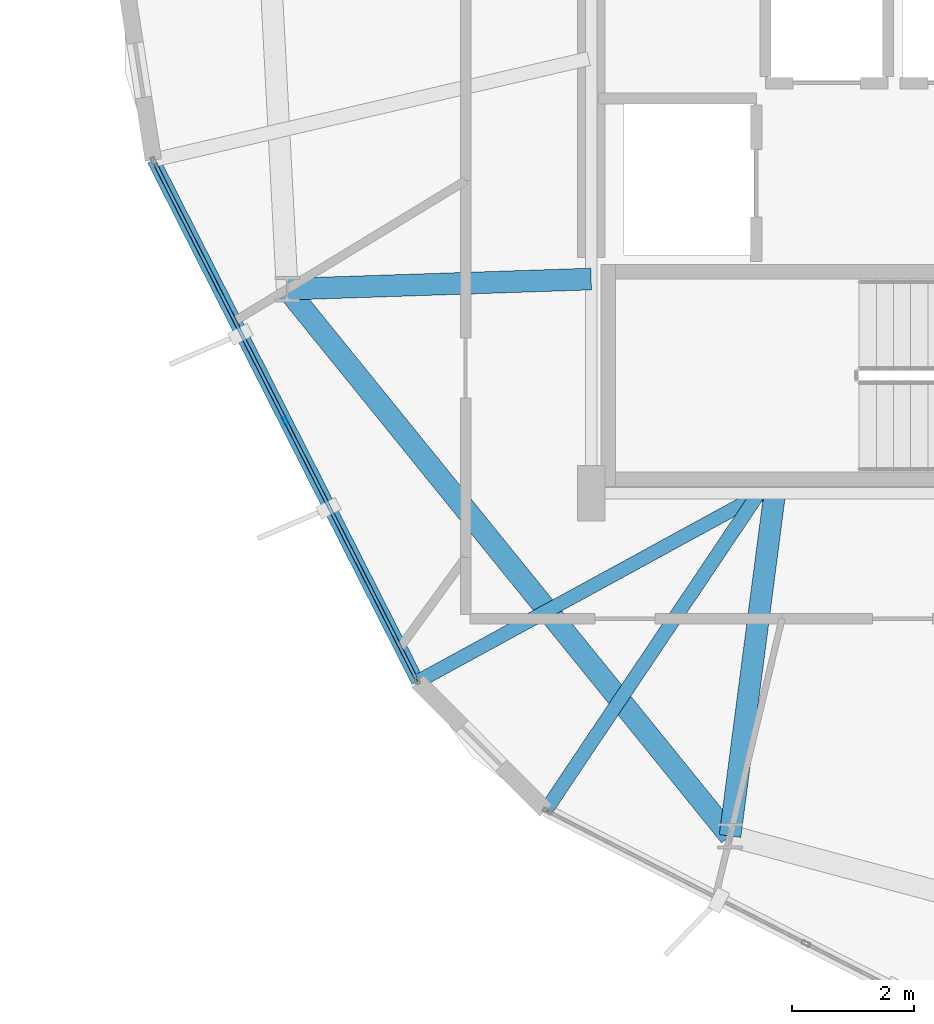
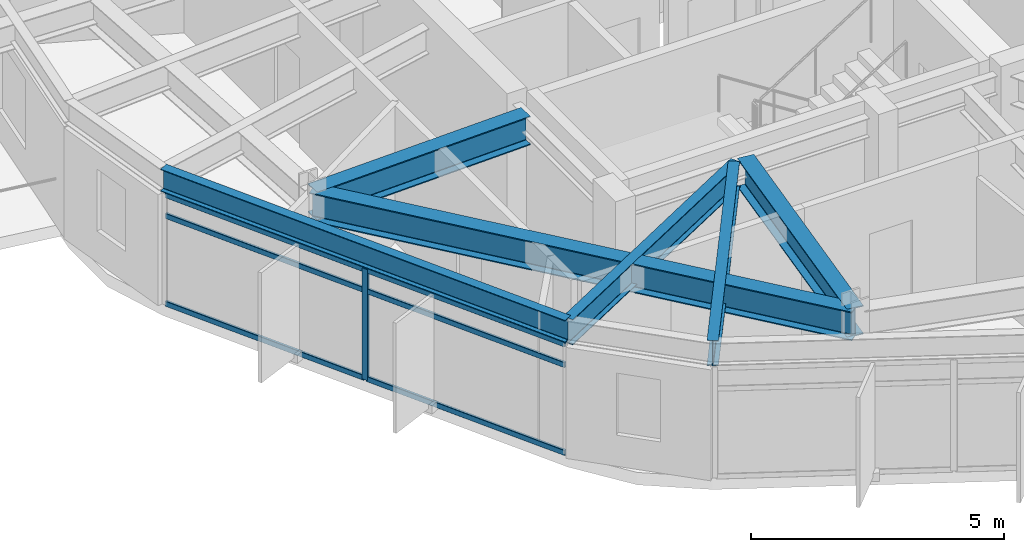
# One storey, part 3 of 27: 7 members, 6 beams, 1 element without a shape of its own.
"""IFC4 building model written with IfcOpenShell, lengths in metres."""

import ifcopenshell
import ifcopenshell.guid

model = None  # the IFC model being written
_history = None  # IfcOwnerHistory: only IFC2X3 demands one
_inside = {}  # id of a spatial element -> (the spatial element, [elements in it])
_under = {}  # id of a project, library or spatial element -> (it, [spatial elements below it])
_declared = {}  # id of a project -> (the project, [libraries it declares])
_typed = {}  # id of a type object -> (the type object, [elements of that type])
_made_of = {}  # id of a material, layer set ... -> (it, [elements and type objects made of it])


def new_model(schema):
    """Start an empty IFC model of exactly this schema.

    Asked for "IFC4X3", IfcOpenShell would pick the latest addendum, in which some entities
    have other attributes; the version numbers below select the first issue.
    IFC2X3 requires an IfcOwnerHistory on every rooted entity: one is made here for all.
    """
    global model, _history
    if schema == "IFC4X3":
        model = ifcopenshell.file(schema_version=(4, 3, 0, 0))
    else:
        model = ifcopenshell.file(schema=schema)
    _inside.clear()
    _under.clear()
    _declared.clear()
    _typed.clear()
    _made_of.clear()
    _history = None
    if model.schema == "IFC2X3":
        org = make("IfcOrganization", Name="unknown")
        user = make(
            "IfcPersonAndOrganization",
            ThePerson=make("IfcPerson", FamilyName="unknown"),
            TheOrganization=org,
        )
        app = make(
            "IfcApplication",
            ApplicationDeveloper=org,
            Version="unknown",
            ApplicationFullName="unknown",
            ApplicationIdentifier="unknown",
        )
        _history = make(
            "IfcOwnerHistory",
            OwningUser=user,
            OwningApplication=app,
            ChangeAction="ADDED",
            CreationDate=0,
        )
    return model


def make(cls, **values):
    """One entity of the class cls with the attributes given. An attribute that is None is left unset."""
    return model.create_entity(
        cls, **{name: value for name, value in values.items() if value is not None}
    )


def rooted(cls, **values):
    """An entity with a GlobalId (a new one), such as an element, a storey or a relation."""
    return make(cls, GlobalId=ifcopenshell.guid.new(), OwnerHistory=_history, **values)


def si_unit(unit_type, name, prefix=None):
    """IfcSIUnit, for example si_unit("LENGTHUNIT", "METRE", prefix="MILLI")."""
    return make("IfcSIUnit", UnitType=unit_type, Prefix=prefix, Name=name)


def assignment(units):
    """IfcUnitAssignment: the units of a project."""
    return None if units is None else make("IfcUnitAssignment", Units=units)


def point(xyz):
    """IfcCartesianPoint."""
    return None if xyz is None else make("IfcCartesianPoint", Coordinates=xyz)


def direction(xyz):
    """IfcDirection."""
    return None if xyz is None else make("IfcDirection", DirectionRatios=xyz)


def frame(location, z_axis=None, x_axis=None):
    """IfcAxis2Placement3D, a coordinate frame: its origin and axes. An axis left out is left unset."""
    return make(
        "IfcAxis2Placement3D",
        Location=point(location),
        Axis=direction(z_axis),
        RefDirection=direction(x_axis),
    )


def frame_2d(location, x_axis=None):
    """IfcAxis2Placement2D, a coordinate frame in the plane: its origin and x axis."""
    return make(
        "IfcAxis2Placement2D", Location=point(location), RefDirection=direction(x_axis)
    )


def origin():
    """The frame at (0, 0, 0) with its axes left unset."""
    return frame((0.0, 0.0, 0.0))


def origin_2d():
    """The frame at (0, 0) in the plane with its x axis left unset."""
    return frame_2d((0.0, 0.0))


def place(relative_to, where):
    """IfcLocalPlacement: puts the frame where relative to a parent placement (None: the world)."""
    return make(
        "IfcLocalPlacement", PlacementRelTo=relative_to, RelativePlacement=where
    )


def context(
    kind, dimensions, precision=None, world=None, true_north=None, identifier=None
):
    """IfcGeometricRepresentationContext, for example the 3D "Model" context."""
    return make(
        "IfcGeometricRepresentationContext",
        ContextIdentifier=identifier,
        ContextType=kind,
        CoordinateSpaceDimension=dimensions,
        Precision=precision,
        WorldCoordinateSystem=world,
        TrueNorth=true_north,
    )


def subcontext(parent, identifier, kind, view, scale=None):
    """IfcGeometricRepresentationSubContext, for example "Body" below "Model"."""
    return make(
        "IfcGeometricRepresentationSubContext",
        ContextIdentifier=identifier,
        ContextType=kind,
        ParentContext=parent,
        TargetScale=scale,
        TargetView=view,
    )


def project(units=None, contexts=None):
    """IfcProject with its units and contexts."""
    return rooted(
        "IfcProject",
        Name="project",
        RepresentationContexts=contexts,
        UnitsInContext=assignment(units),
    )


def spatial(cls, under=None, at=None, **own):
    """A site, building, storey or space (cls), placed at a placement, below another one or the project."""
    s = rooted(cls, ObjectPlacement=at, **own)
    if under is not None:
        _under.setdefault(under.id(), (under, []))[1].append(s)
    return s


def profile(cls, at=None, kind="AREA", **sizes):
    """A parametric profile (cls). Its sizes go by their IFC names, for example OverallWidth=200.0."""
    return make(cls, ProfileType=kind, Position=at, **sizes)


def hollow_rectangle(**sizes):
    """IfcRectangleHollowProfileDef."""
    return profile("IfcRectangleHollowProfileDef", **sizes)


def i_section(**sizes):
    """IfcIShapeProfileDef."""
    return profile("IfcIShapeProfileDef", **sizes)


def extrude(swept, where, along, depth):
    """IfcExtrudedAreaSolid: the profile swept, set in the frame where, extruded along a direction by depth."""
    return make(
        "IfcExtrudedAreaSolid",
        SweptArea=swept,
        Position=where,
        ExtrudedDirection=direction(along),
        Depth=depth,
    )


def shape(context_of_items, identifier, shape_type, items):
    """IfcShapeRepresentation: the items that make up one representation, for example the "Body"."""
    return make(
        "IfcShapeRepresentation",
        ContextOfItems=context_of_items,
        RepresentationIdentifier=identifier,
        RepresentationType=shape_type,
        Items=items,
    )


def material(Name=None, Category=None):
    """IfcMaterial."""
    return make("IfcMaterial", Name=Name, Category=Category)


def layer(
    of_material, thickness, ventilated=None, Name=None, Category=None, Priority=None
):
    """IfcMaterialLayer: one layer of a wall or slab, of a material (None: an air gap)."""
    return make(
        "IfcMaterialLayer",
        Material=of_material,
        LayerThickness=thickness,
        IsVentilated=ventilated,
        Name=Name,
        Category=Category,
        Priority=Priority,
    )


def layer_set(layers, Name=None):
    """IfcMaterialLayerSet."""
    return make("IfcMaterialLayerSet", MaterialLayers=layers, LayerSetName=Name)


def material_profile(
    of_material, cross_section, Name=None, Category=None, Priority=None
):
    """IfcMaterialProfile: a cross section and its material."""
    return make(
        "IfcMaterialProfile",
        Name=Name,
        Material=of_material,
        Profile=cross_section,
        Priority=Priority,
        Category=Category,
    )


def profile_set(profiles, Name=None, composite=None):
    """IfcMaterialProfileSet."""
    return make(
        "IfcMaterialProfileSet",
        Name=Name,
        MaterialProfiles=profiles,
        CompositeProfile=composite,
    )


def made_of(thing, what):
    """Note that an element or type object is made of a material, layer set ...; save() writes the relation."""
    if what is not None:
        _made_of.setdefault(what.id(), (what, []))[1].append(thing)
    return thing


def type_object(cls, material=None, **own):
    """A type object (cls), such as IfcWallType, which elements share."""
    return made_of(rooted(cls, **own), material)


def element(
    cls,
    number,
    at=None,
    inside=None,
    cuts=None,
    type_object=None,
    material=None,
    context=None,
    identifier="Body",
    shape_type=None,
    held_by="IfcProductDefinitionShape",
    body=None,
    shapes=None,
    **own,
):
    """One element of the class cls, such as IfcWall. Its Tag is "e" and its number.

    at: its placement. inside: the storey or other place that contains it. cuts: it is an
    opening in that element (IfcRelVoidsElement). A single representation is given by context,
    identifier, shape_type and body (its items); several are given by shapes. held_by: the class
    of the entity that holds the representations. save() writes the other relations.
    """
    e = rooted(cls, Tag="e%d" % number, ObjectPlacement=at, **own)
    if body is not None:
        shapes = [shape(context, identifier, shape_type, body)]
    if shapes is not None:
        e.Representation = make(held_by, Representations=shapes)
    if inside is not None:
        _inside.setdefault(inside.id(), (inside, []))[1].append(e)
    if cuts is not None:
        rooted(
            "IfcRelVoidsElement", RelatingBuildingElement=cuts, RelatedOpeningElement=e
        )
    if type_object is not None:
        _typed.setdefault(type_object.id(), (type_object, []))[1].append(e)
    return made_of(e, material)


def aggregate(whole, parts):
    """IfcRelAggregates: a whole, such as a stair, and the parts it consists of."""
    return rooted("IfcRelAggregates", RelatingObject=whole, RelatedObjects=parts)


def save(model, path):
    """Write the relations noted so far, then the file.

    IfcRelAggregates (storeys below a building ...), IfcRelContainedInSpatialStructure (elements
    in a storey), IfcRelDefinesByType, IfcRelAssociatesMaterial and IfcRelDeclares: one each for
    every whole, place, type object, material and project.
    """
    for whole, parts in _under.values():
        aggregate(whole, parts)
    for where, things in _inside.values():
        rooted(
            "IfcRelContainedInSpatialStructure",
            RelatedElements=things,
            RelatingStructure=where,
        )
    for kind, things in _typed.values():
        rooted("IfcRelDefinesByType", RelatedObjects=things, RelatingType=kind)
    for what, things in _made_of.values():
        rooted("IfcRelAssociatesMaterial", RelatedObjects=things, RelatingMaterial=what)
    for by, libraries in _declared.values():
        rooted("IfcRelDeclares", RelatingContext=by, RelatedDefinitions=libraries)
    model.write(path)


model = new_model("IFC4")

# Units and contexts
model_context = context("Model", 3, precision=1e-05, world=origin(), true_north=direction((0.0, 1.0)))
body_context = subcontext(model_context, "Body", "Model", "MODEL_VIEW")
ifc_project = project(units=[si_unit("LENGTHUNIT", "METRE"), si_unit("AREAUNIT", "SQUARE_METRE"), si_unit("VOLUMEUNIT", "CUBIC_METRE"), si_unit("PLANEANGLEUNIT", "RADIAN"), si_unit("MASSUNIT", "GRAM", prefix="KILO")], contexts=[model_context])

# Site, building, storey
site_placement = place(None, origin())
site = spatial("IfcSite", under=ifc_project, at=site_placement, CompositionType="ELEMENT")
building_placement = place(site_placement, origin())
building = spatial("IfcBuilding", under=site, at=building_placement, Name="Soratama Intermodal Tower", CompositionType="ELEMENT")
storey_placement = place(building_placement, frame((0.0, 0.0, 197.800048828125)))
storey = spatial("IfcBuildingStorey", under=building, at=storey_placement, Name="L49", CompositionType="ELEMENT", Elevation=197.800048828125)

# Beams
ifc_material_1 = material(Name="Structural steel ASTM A992 Grade 50", Category="steel")
ifc_material_profile_1 = material_profile(ifc_material_1, i_section(OverallWidth=0.35498046875, OverallDepth=0.695068359375, WebThickness=0.015380859375, FlangeThickness=0.02490234375, FilletRadius=0.01611328125, at=origin_2d()), Name="W27X146")
ifc_profile_set_1 = profile_set([ifc_material_profile_1], Name="Structural steel ASTM A992 Grade 50")
beam_type_1 = type_object("IfcBeamType", Name="BM-RING-W27X146", PredefinedType="BEAM", material=ifc_profile_set_1)
beam_1_placement = place(storey_placement, frame((27.635009765625, 18.333984375, 2.952392578125), z_axis=(0.629384551156, -0.777094001242, 0.0), x_axis=(0.777094001242, 0.629384551156, 0.0)))
element("IfcBeam", 1, at=beam_1_placement, inside=storey, type_object=beam_type_1, Name="BM-L49-RING-06", PredefinedType="BEAM", context=body_context, shape_type="SweptSolid", body=[
    extrude(i_section(OverallWidth=0.35498046875, OverallDepth=0.695068359375, WebThickness=0.015380859375, FlangeThickness=0.02490234375, FilletRadius=0.01611328125, at=origin_2d()), origin(), (0.0, 0.0, 1.0), 11.49560546875),
])
beam_2_placement = place(storey_placement, frame((32.60009765625, 18.5, 2.952392578125), z_axis=(-0.999441465401, -0.033417917907, 0.0), x_axis=(0.033417917907, -0.999441465401, 0.0)))
element("IfcBeam", 2, at=beam_2_placement, inside=storey, type_object=beam_type_1, Name="BM-L49-RAD-06", PredefinedType="BEAM", context=body_context, shape_type="SweptSolid", body=[
    extrude(i_section(OverallWidth=0.35498046875, OverallDepth=0.695068359375, WebThickness=0.015380859375, FlangeThickness=0.02490234375, FilletRadius=0.01611328125, at=origin_2d()), origin(), (0.0, 0.0, 1.0), 4.9677734375),
])
beam_3_placement = place(storey_placement, frame((35.60009765625, 15.0, 2.952392578125), z_axis=(-0.129280033694, -0.991608124658, 0.0), x_axis=(0.991608124658, -0.129280033694, 0.0)))
element("IfcBeam", 3, at=beam_3_placement, inside=storey, type_object=beam_type_1, Name="BM-L49-RAD-07", PredefinedType="BEAM", context=body_context, shape_type="SweptSolid", body=[
    extrude(i_section(OverallWidth=0.35498046875, OverallDepth=0.695068359375, WebThickness=0.015380859375, FlangeThickness=0.02490234375, FilletRadius=0.01611328125, at=origin_2d()), origin(), (0.0, 0.0, 1.0), 5.646484375),
])
ifc_material_2 = material(Name="Structural steel ASTM A992 Grade 50", Category="steel")
ifc_material_profile_2 = material_profile(ifc_material_2, i_section(OverallWidth=0.2099609375, OverallDepth=0.537109375, WebThickness=0.010986328125, FlangeThickness=0.017333984375, FilletRadius=0.012939453125, at=origin_2d()), Name="W21X68")
ifc_profile_set_2 = profile_set([ifc_material_profile_2], Name="Structural steel ASTM A992 Grade 50")
beam_type_2 = type_object("IfcBeamType", Name="BM-SPN-W21X68", PredefinedType="SPANDREL", material=ifc_profile_set_2)
beam_4_placement = place(storey_placement, frame((25.447998046875, 20.444091796875, 3.031494140625), z_axis=(0.452154871553, -0.891939444206, 0.0), x_axis=(0.891939444206, 0.452154871553, 0.0)))
element("IfcBeam", 4, at=beam_4_placement, inside=storey, type_object=beam_type_2, Name="BS-L49-F05", PredefinedType="SPANDREL", context=body_context, shape_type="SweptSolid", body=[
    extrude(i_section(OverallWidth=0.2099609375, OverallDepth=0.537109375, WebThickness=0.010986328125, FlangeThickness=0.017333984375, FilletRadius=0.012939453125, at=origin_2d()), origin(), (0.0, 0.0, 1.0), 9.55224609375),
])
ifc_material_3 = material(Name="Structural steel ASTM A992 Grade 50", Category="steel")
ifc_material_profile_3 = material_profile(ifc_material_3, i_section(OverallWidth=0.22900390625, OverallDepth=0.612060546875, WebThickness=0.011962890625, FlangeThickness=0.01953125, FilletRadius=0.012939453125, at=origin_2d()), Name="W24X84")
ifc_profile_set_3 = profile_set([ifc_material_profile_3], Name="Structural steel ASTM A992 Grade 50")
beam_type_3 = type_object("IfcBeamType", Name="BM-TIE-W24X84", PredefinedType="BEAM", material=ifc_profile_set_3)
beam_5_placement = place(storey_placement, frame((35.364013671875, 14.98095703125, 2.993896484375), z_axis=(-0.877630629762, -0.479337540469, 0.0), x_axis=(0.479337540469, -0.877630629762, 0.0)))
element("IfcBeam", 5, at=beam_5_placement, inside=storey, type_object=beam_type_3, Name="BM-L49-TIE1-05", PredefinedType="BEAM", context=body_context, shape_type="SweptSolid", body=[
    extrude(i_section(OverallWidth=0.22900390625, OverallDepth=0.612060546875, WebThickness=0.011962890625, FlangeThickness=0.01953125, FilletRadius=0.012939453125, at=origin_2d()), origin(), (0.0, 0.0, 1.0), 6.377197265625),
])
beam_6_placement = place(storey_placement, frame((35.31494140625, 14.967041015625, 2.993896484375), z_axis=(-0.557469874499, -0.830197168765, 0.0), x_axis=(0.830197168765, -0.557469874499, 0.0)))
element("IfcBeam", 6, at=beam_6_placement, inside=storey, type_object=beam_type_3, Name="BM-L49-TIE0-06", PredefinedType="BEAM", context=body_context, shape_type="SweptSolid", body=[
    extrude(i_section(OverallWidth=0.22900390625, OverallDepth=0.612060546875, WebThickness=0.011962890625, FlangeThickness=0.01953125, FilletRadius=0.012939453125, at=origin_2d()), origin(), (0.0, 0.0, 1.0), 6.197265625),
])

# Curtain wall, members
ifc_material_4 = material(Name="Double-glazed aluminium curtain wall", Category="aluminium")
ifc_layer = layer(ifc_material_4, 0.159912109375)
ifc_layer_set = layer_set([ifc_layer], Name="Double-glazed aluminium curtain wall")
curtain_wall_type = type_object("IfcCurtainWallType", Name="CW-SYS-5", PredefinedType="NOTDEFINED", material=ifc_layer_set)
curtain_wall_placement = place(storey_placement, origin())
curtain_wall = element("IfcCurtainWall", 7, at=curtain_wall_placement, inside=storey, type_object=curtain_wall_type, Name="L49 Faceted Curtain Wall F05", PredefinedType="NOTDEFINED")
ifc_material_5 = material(Name="Anodised aluminium AA 6063-T6", Category="aluminium")
ifc_material_profile_4 = material_profile(ifc_material_5, hollow_rectangle(XDim=0.06494140625, YDim=0.139892578125, WallThickness=0.0048828125, InnerFilletRadius=0.0048828125, OuterFilletRadius=0.010009765625, at=origin_2d()), Name="CWM140X65X5")
ifc_profile_set_4 = profile_set([ifc_material_profile_4], Name="Anodised aluminium AA 6063-T6")
member_type_1 = type_object("IfcMemberType", Name="MT-CWM-5", PredefinedType="MULLION", material=ifc_profile_set_4)
member_1_placement = place(storey_placement, frame((27.607177734375, 16.183837890625, 0.0), z_axis=(0.0, 0.0, 1.0), x_axis=(0.891957765686, 0.452118728027, 0.0)))
member_1 = element("IfcMember", 8, at=member_1_placement, type_object=member_type_1, Name="CW-5 mullion 2", PredefinedType="MULLION", context=body_context, shape_type="SweptSolid", body=[
    extrude(hollow_rectangle(XDim=0.06494140625, YDim=0.139892578125, WallThickness=0.0048828125, InnerFilletRadius=0.0048828125, OuterFilletRadius=0.010009765625, at=origin_2d()), origin(), (0.0, 0.0, 1.0), 2.678955078125),
])
ifc_material_6 = material(Name="Anodised aluminium AA 6063-T6", Category="aluminium")
ifc_material_profile_5 = material_profile(ifc_material_6, hollow_rectangle(XDim=0.06005859375, YDim=0.1298828125, WallThickness=0.0048828125, InnerFilletRadius=0.0048828125, OuterFilletRadius=0.010009765625, at=origin_2d()), Name="CWT130X60X5")
ifc_profile_set_5 = profile_set([ifc_material_profile_5], Name="Anodised aluminium AA 6063-T6")
member_type_2 = type_object("IfcMemberType", Name="TT-CWT-2", PredefinedType="USERDEFINED", material=ifc_profile_set_5)
member_2_placement = place(storey_placement, frame((25.474853515625, 20.390380859375, 0.030029296875), z_axis=(0.452145526119, -0.891944181667, 0.0), x_axis=(0.891944181667, 0.452145526119, 0.0)))
member_2 = element("IfcMember", 9, at=member_2_placement, type_object=member_type_2, Name="CW-5 transom 1.1", ObjectType="TRANSOM", PredefinedType="USERDEFINED", context=body_context, shape_type="SweptSolid", body=[
    extrude(hollow_rectangle(XDim=0.06005859375, YDim=0.1298828125, WallThickness=0.0048828125, InnerFilletRadius=0.0048828125, OuterFilletRadius=0.010009765625, at=origin_2d()), origin(), (0.0, 0.0, 1.0), 4.686279296875),
])
member_3_placement = place(storey_placement, frame((25.474853515625, 20.390380859375, 2.14990234375), z_axis=(0.452145526119, -0.891944181667, 0.0), x_axis=(0.891944181667, 0.452145526119, 0.0)))
member_3 = element("IfcMember", 10, at=member_3_placement, type_object=member_type_2, Name="CW-5 transom 1.2", ObjectType="TRANSOM", PredefinedType="USERDEFINED", context=body_context, shape_type="SweptSolid", body=[
    extrude(hollow_rectangle(XDim=0.06005859375, YDim=0.1298828125, WallThickness=0.0048828125, InnerFilletRadius=0.0048828125, OuterFilletRadius=0.010009765625, at=origin_2d()), origin(), (0.0, 0.0, 1.0), 4.686279296875),
])
member_4_placement = place(storey_placement, frame((25.474853515625, 20.390380859375, 2.64892578125), z_axis=(0.452145526119, -0.891944181667, 0.0), x_axis=(0.891944181667, 0.452145526119, 0.0)))
member_4 = element("IfcMember", 11, at=member_4_placement, type_object=member_type_2, Name="CW-5 transom 1.3", ObjectType="TRANSOM", PredefinedType="USERDEFINED", context=body_context, shape_type="SweptSolid", body=[
    extrude(hollow_rectangle(XDim=0.06005859375, YDim=0.1298828125, WallThickness=0.0048828125, InnerFilletRadius=0.0048828125, OuterFilletRadius=0.010009765625, at=origin_2d()), origin(), (0.0, 0.0, 1.0), 4.686279296875),
])
member_5_placement = place(storey_placement, frame((27.620849609375, 16.156982421875, 0.030029296875), z_axis=(0.452104078533, -0.891965191122, 0.0), x_axis=(0.891965191122, 0.452104078533, 0.0)))
member_5 = element("IfcMember", 12, at=member_5_placement, type_object=member_type_2, Name="CW-5 transom 2.1", ObjectType="TRANSOM", PredefinedType="USERDEFINED", context=body_context, shape_type="SweptSolid", body=[
    extrude(hollow_rectangle(XDim=0.06005859375, YDim=0.1298828125, WallThickness=0.0048828125, InnerFilletRadius=0.0048828125, OuterFilletRadius=0.010009765625, at=origin_2d()), origin(), (0.0, 0.0, 1.0), 4.686279296875),
])
member_6_placement = place(storey_placement, frame((27.620849609375, 16.156982421875, 2.14990234375), z_axis=(0.452104078533, -0.891965191122, 0.0), x_axis=(0.891965191122, 0.452104078533, 0.0)))
member_6 = element("IfcMember", 13, at=member_6_placement, type_object=member_type_2, Name="CW-5 transom 2.2", ObjectType="TRANSOM", PredefinedType="USERDEFINED", context=body_context, shape_type="SweptSolid", body=[
    extrude(hollow_rectangle(XDim=0.06005859375, YDim=0.1298828125, WallThickness=0.0048828125, InnerFilletRadius=0.0048828125, OuterFilletRadius=0.010009765625, at=origin_2d()), origin(), (0.0, 0.0, 1.0), 4.686279296875),
])
member_7_placement = place(storey_placement, frame((27.620849609375, 16.156982421875, 2.64892578125), z_axis=(0.452104078533, -0.891965191122, 0.0), x_axis=(0.891965191122, 0.452104078533, 0.0)))
member_7 = element("IfcMember", 14, at=member_7_placement, type_object=member_type_2, Name="CW-5 transom 2.3", ObjectType="TRANSOM", PredefinedType="USERDEFINED", context=body_context, shape_type="SweptSolid", body=[
    extrude(hollow_rectangle(XDim=0.06005859375, YDim=0.1298828125, WallThickness=0.0048828125, InnerFilletRadius=0.0048828125, OuterFilletRadius=0.010009765625, at=origin_2d()), origin(), (0.0, 0.0, 1.0), 4.686279296875),
])
aggregate(curtain_wall, [member_1, member_2, member_3, member_4, member_5, member_6, member_7])

save(model, "model.ifc")
